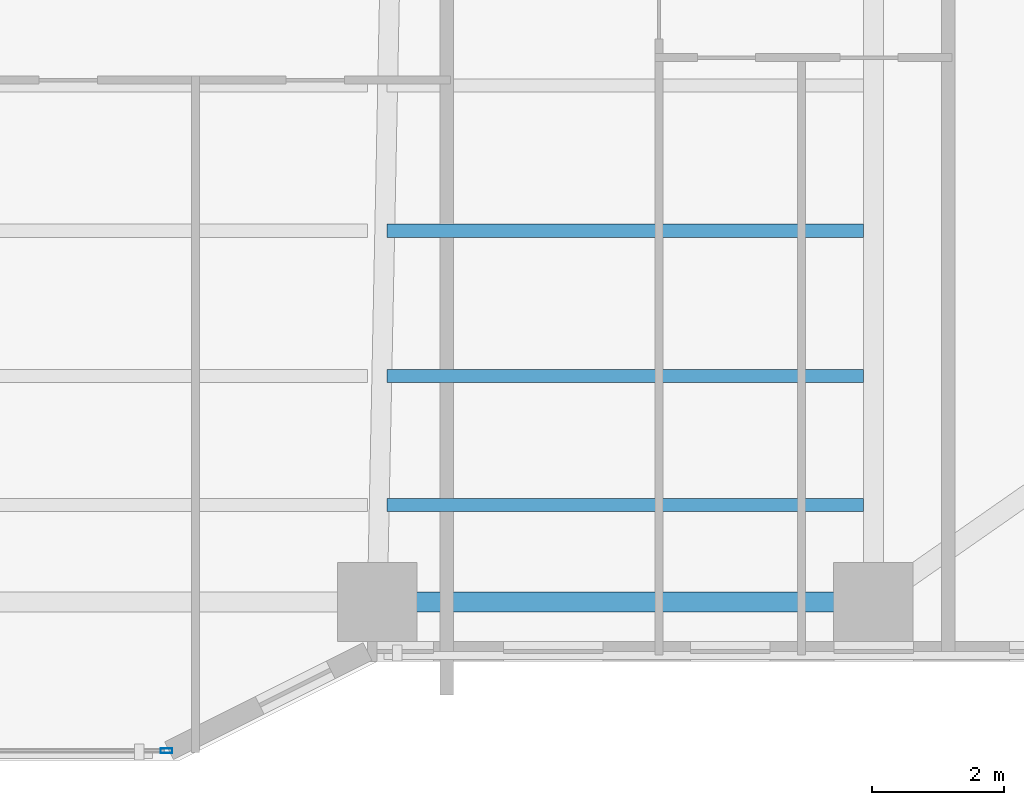
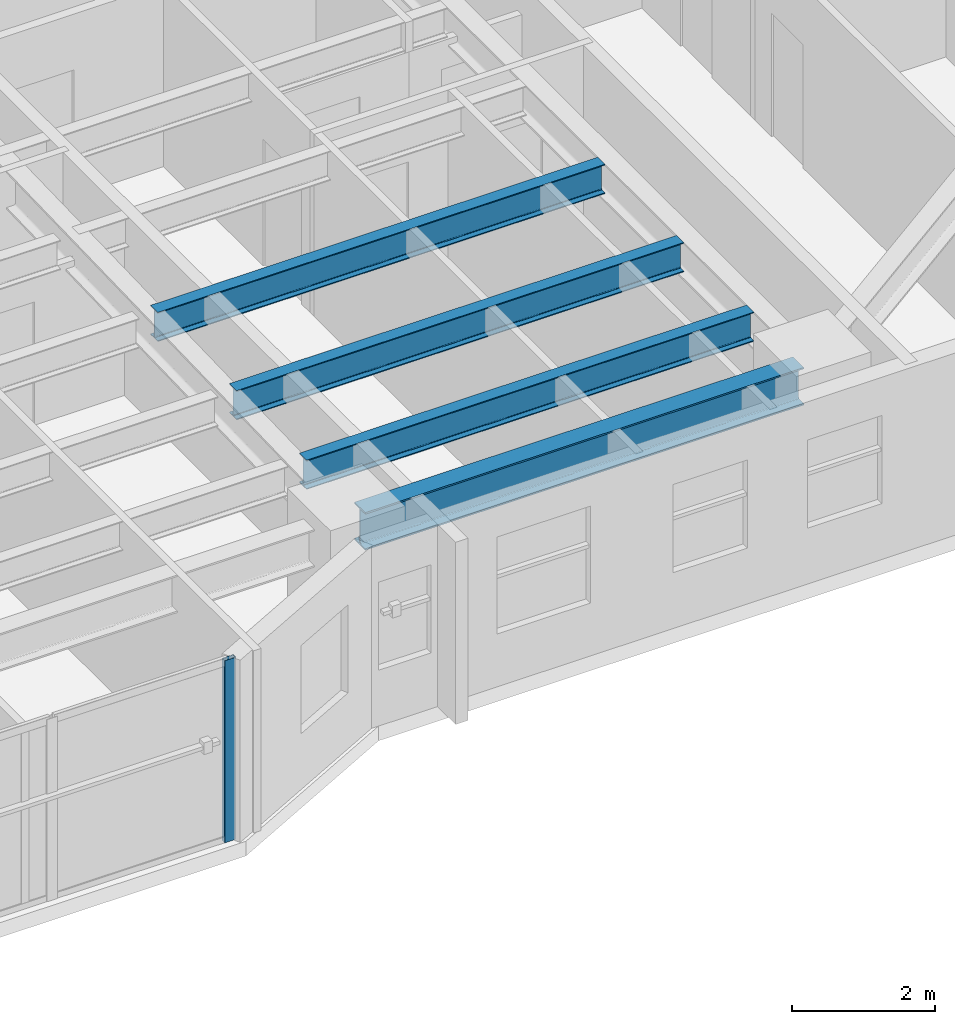
# One storey, part 4 of 21: 4 beams, 1 member, 1 element without a shape of its own.
"""IFC4 building model written with IfcOpenShell, lengths in metres."""

import ifcopenshell
import ifcopenshell.guid

model = None  # the IFC model being written
_history = None  # IfcOwnerHistory: only IFC2X3 demands one
_inside = {}  # id of a spatial element -> (the spatial element, [elements in it])
_under = {}  # id of a project, library or spatial element -> (it, [spatial elements below it])
_declared = {}  # id of a project -> (the project, [libraries it declares])
_typed = {}  # id of a type object -> (the type object, [elements of that type])
_made_of = {}  # id of a material, layer set ... -> (it, [elements and type objects made of it])


def new_model(schema):
    """Start an empty IFC model of exactly this schema.

    Asked for "IFC4X3", IfcOpenShell would pick the latest addendum, in which some entities
    have other attributes; the version numbers below select the first issue.
    IFC2X3 requires an IfcOwnerHistory on every rooted entity: one is made here for all.
    """
    global model, _history
    if schema == "IFC4X3":
        model = ifcopenshell.file(schema_version=(4, 3, 0, 0))
    else:
        model = ifcopenshell.file(schema=schema)
    _inside.clear()
    _under.clear()
    _declared.clear()
    _typed.clear()
    _made_of.clear()
    _history = None
    if model.schema == "IFC2X3":
        org = make("IfcOrganization", Name="unknown")
        user = make(
            "IfcPersonAndOrganization",
            ThePerson=make("IfcPerson", FamilyName="unknown"),
            TheOrganization=org,
        )
        app = make(
            "IfcApplication",
            ApplicationDeveloper=org,
            Version="unknown",
            ApplicationFullName="unknown",
            ApplicationIdentifier="unknown",
        )
        _history = make(
            "IfcOwnerHistory",
            OwningUser=user,
            OwningApplication=app,
            ChangeAction="ADDED",
            CreationDate=0,
        )
    return model


def make(cls, **values):
    """One entity of the class cls with the attributes given. An attribute that is None is left unset."""
    return model.create_entity(
        cls, **{name: value for name, value in values.items() if value is not None}
    )


def rooted(cls, **values):
    """An entity with a GlobalId (a new one), such as an element, a storey or a relation."""
    return make(cls, GlobalId=ifcopenshell.guid.new(), OwnerHistory=_history, **values)


def si_unit(unit_type, name, prefix=None):
    """IfcSIUnit, for example si_unit("LENGTHUNIT", "METRE", prefix="MILLI")."""
    return make("IfcSIUnit", UnitType=unit_type, Prefix=prefix, Name=name)


def assignment(units):
    """IfcUnitAssignment: the units of a project."""
    return None if units is None else make("IfcUnitAssignment", Units=units)


def point(xyz):
    """IfcCartesianPoint."""
    return None if xyz is None else make("IfcCartesianPoint", Coordinates=xyz)


def direction(xyz):
    """IfcDirection."""
    return None if xyz is None else make("IfcDirection", DirectionRatios=xyz)


def frame(location, z_axis=None, x_axis=None):
    """IfcAxis2Placement3D, a coordinate frame: its origin and axes. An axis left out is left unset."""
    return make(
        "IfcAxis2Placement3D",
        Location=point(location),
        Axis=direction(z_axis),
        RefDirection=direction(x_axis),
    )


def frame_2d(location, x_axis=None):
    """IfcAxis2Placement2D, a coordinate frame in the plane: its origin and x axis."""
    return make(
        "IfcAxis2Placement2D", Location=point(location), RefDirection=direction(x_axis)
    )


def origin():
    """The frame at (0, 0, 0) with its axes left unset."""
    return frame((0.0, 0.0, 0.0))


def origin_2d():
    """The frame at (0, 0) in the plane with its x axis left unset."""
    return frame_2d((0.0, 0.0))


def place(relative_to, where):
    """IfcLocalPlacement: puts the frame where relative to a parent placement (None: the world)."""
    return make(
        "IfcLocalPlacement", PlacementRelTo=relative_to, RelativePlacement=where
    )


def context(
    kind, dimensions, precision=None, world=None, true_north=None, identifier=None
):
    """IfcGeometricRepresentationContext, for example the 3D "Model" context."""
    return make(
        "IfcGeometricRepresentationContext",
        ContextIdentifier=identifier,
        ContextType=kind,
        CoordinateSpaceDimension=dimensions,
        Precision=precision,
        WorldCoordinateSystem=world,
        TrueNorth=true_north,
    )


def subcontext(parent, identifier, kind, view, scale=None):
    """IfcGeometricRepresentationSubContext, for example "Body" below "Model"."""
    return make(
        "IfcGeometricRepresentationSubContext",
        ContextIdentifier=identifier,
        ContextType=kind,
        ParentContext=parent,
        TargetScale=scale,
        TargetView=view,
    )


def project(units=None, contexts=None):
    """IfcProject with its units and contexts."""
    return rooted(
        "IfcProject",
        Name="project",
        RepresentationContexts=contexts,
        UnitsInContext=assignment(units),
    )


def spatial(cls, under=None, at=None, **own):
    """A site, building, storey or space (cls), placed at a placement, below another one or the project."""
    s = rooted(cls, ObjectPlacement=at, **own)
    if under is not None:
        _under.setdefault(under.id(), (under, []))[1].append(s)
    return s


def profile(cls, at=None, kind="AREA", **sizes):
    """A parametric profile (cls). Its sizes go by their IFC names, for example OverallWidth=200.0."""
    return make(cls, ProfileType=kind, Position=at, **sizes)


def hollow_rectangle(**sizes):
    """IfcRectangleHollowProfileDef."""
    return profile("IfcRectangleHollowProfileDef", **sizes)


def i_section(**sizes):
    """IfcIShapeProfileDef."""
    return profile("IfcIShapeProfileDef", **sizes)


def extrude(swept, where, along, depth):
    """IfcExtrudedAreaSolid: the profile swept, set in the frame where, extruded along a direction by depth."""
    return make(
        "IfcExtrudedAreaSolid",
        SweptArea=swept,
        Position=where,
        ExtrudedDirection=direction(along),
        Depth=depth,
    )


def shape(context_of_items, identifier, shape_type, items):
    """IfcShapeRepresentation: the items that make up one representation, for example the "Body"."""
    return make(
        "IfcShapeRepresentation",
        ContextOfItems=context_of_items,
        RepresentationIdentifier=identifier,
        RepresentationType=shape_type,
        Items=items,
    )


def material(Name=None, Category=None):
    """IfcMaterial."""
    return make("IfcMaterial", Name=Name, Category=Category)


def layer(
    of_material, thickness, ventilated=None, Name=None, Category=None, Priority=None
):
    """IfcMaterialLayer: one layer of a wall or slab, of a material (None: an air gap)."""
    return make(
        "IfcMaterialLayer",
        Material=of_material,
        LayerThickness=thickness,
        IsVentilated=ventilated,
        Name=Name,
        Category=Category,
        Priority=Priority,
    )


def layer_set(layers, Name=None):
    """IfcMaterialLayerSet."""
    return make("IfcMaterialLayerSet", MaterialLayers=layers, LayerSetName=Name)


def material_profile(
    of_material, cross_section, Name=None, Category=None, Priority=None
):
    """IfcMaterialProfile: a cross section and its material."""
    return make(
        "IfcMaterialProfile",
        Name=Name,
        Material=of_material,
        Profile=cross_section,
        Priority=Priority,
        Category=Category,
    )


def profile_set(profiles, Name=None, composite=None):
    """IfcMaterialProfileSet."""
    return make(
        "IfcMaterialProfileSet",
        Name=Name,
        MaterialProfiles=profiles,
        CompositeProfile=composite,
    )


def made_of(thing, what):
    """Note that an element or type object is made of a material, layer set ...; save() writes the relation."""
    if what is not None:
        _made_of.setdefault(what.id(), (what, []))[1].append(thing)
    return thing


def type_object(cls, material=None, **own):
    """A type object (cls), such as IfcWallType, which elements share."""
    return made_of(rooted(cls, **own), material)


def element(
    cls,
    number,
    at=None,
    inside=None,
    cuts=None,
    type_object=None,
    material=None,
    context=None,
    identifier="Body",
    shape_type=None,
    held_by="IfcProductDefinitionShape",
    body=None,
    shapes=None,
    **own,
):
    """One element of the class cls, such as IfcWall. Its Tag is "e" and its number.

    at: its placement. inside: the storey or other place that contains it. cuts: it is an
    opening in that element (IfcRelVoidsElement). A single representation is given by context,
    identifier, shape_type and body (its items); several are given by shapes. held_by: the class
    of the entity that holds the representations. save() writes the other relations.
    """
    e = rooted(cls, Tag="e%d" % number, ObjectPlacement=at, **own)
    if body is not None:
        shapes = [shape(context, identifier, shape_type, body)]
    if shapes is not None:
        e.Representation = make(held_by, Representations=shapes)
    if inside is not None:
        _inside.setdefault(inside.id(), (inside, []))[1].append(e)
    if cuts is not None:
        rooted(
            "IfcRelVoidsElement", RelatingBuildingElement=cuts, RelatedOpeningElement=e
        )
    if type_object is not None:
        _typed.setdefault(type_object.id(), (type_object, []))[1].append(e)
    return made_of(e, material)


def aggregate(whole, parts):
    """IfcRelAggregates: a whole, such as a stair, and the parts it consists of."""
    return rooted("IfcRelAggregates", RelatingObject=whole, RelatedObjects=parts)


def save(model, path):
    """Write the relations noted so far, then the file.

    IfcRelAggregates (storeys below a building ...), IfcRelContainedInSpatialStructure (elements
    in a storey), IfcRelDefinesByType, IfcRelAssociatesMaterial and IfcRelDeclares: one each for
    every whole, place, type object, material and project.
    """
    for whole, parts in _under.values():
        aggregate(whole, parts)
    for where, things in _inside.values():
        rooted(
            "IfcRelContainedInSpatialStructure",
            RelatedElements=things,
            RelatingStructure=where,
        )
    for kind, things in _typed.values():
        rooted("IfcRelDefinesByType", RelatedObjects=things, RelatingType=kind)
    for what, things in _made_of.values():
        rooted("IfcRelAssociatesMaterial", RelatedObjects=things, RelatingMaterial=what)
    for by, libraries in _declared.values():
        rooted("IfcRelDeclares", RelatingContext=by, RelatedDefinitions=libraries)
    model.write(path)


model = new_model("IFC4")

# Units and contexts
model_context = context("Model", 3, precision=1e-05, world=origin(), true_north=direction((0.0, 1.0)))
body_context = subcontext(model_context, "Body", "Model", "MODEL_VIEW")
ifc_project = project(units=[si_unit("LENGTHUNIT", "METRE"), si_unit("AREAUNIT", "SQUARE_METRE"), si_unit("VOLUMEUNIT", "CUBIC_METRE"), si_unit("PLANEANGLEUNIT", "RADIAN"), si_unit("MASSUNIT", "GRAM", prefix="KILO")], contexts=[model_context])

# Site, building, storey
site_placement = place(None, origin())
site = spatial("IfcSite", under=ifc_project, at=site_placement, CompositionType="ELEMENT")
building_placement = place(site_placement, origin())
building = spatial("IfcBuilding", under=site, at=building_placement, Name="Tarnavaz Court Tower", CompositionType="ELEMENT")
storey_placement = place(building_placement, frame((0.0, 0.0, 37.39990234375)))
storey = spatial("IfcBuildingStorey", under=building, at=storey_placement, Name="L09", CompositionType="ELEMENT", Elevation=37.39990234375)

# Beams
ifc_material_1 = material(Name="Steel S355", Category="steel")
ifc_material_profile_1 = material_profile(ifc_material_1, i_section(OverallWidth=0.199951171875, OverallDepth=0.5, WebThickness=0.01025390625, FlangeThickness=0.01611328125, FilletRadius=0.02099609375, at=origin_2d()), Name="IPE 500")
ifc_profile_set_1 = profile_set([ifc_material_profile_1], Name="Steel S355")
beam_type_1 = type_object("IfcBeamType", Name="BM-J-IPE500", PredefinedType="JOIST", material=ifc_profile_set_1)
for number, where, z_axis, x_axis, name in (
    (1, (7.64990234375, -17.18798828125, 2.85009765625), (1.0, 0.0, 0.0), (0.0, 1.0, 0.0), "L09 Beam JS3-3"),
    (2, (7.64990234375, -19.384033203125, 2.85009765625), (1.0, 0.0, 0.0), (0.0, 1.0, 0.0), "L09 Beam JS4-3"),
    (3, (7.64990234375, -21.3359375, 2.85009765625), (1.0, 0.0, 0.0), (0.0, 1.0, 0.0), "L09 Beam JS5-3"),
):
    element("IfcBeam", number, at=place(storey_placement, frame(where, z_axis=z_axis, x_axis=x_axis)), inside=storey, type_object=beam_type_1, Name=name, PredefinedType="JOIST", context=body_context, shape_type="SweptSolid", body=[
        extrude(i_section(OverallWidth=0.199951171875, OverallDepth=0.5, WebThickness=0.01025390625, FlangeThickness=0.01611328125, FilletRadius=0.02099609375, at=origin_2d()), origin(), (0.0, 0.0, 1.0), 7.2001953125),
    ])
ifc_material_profile_2 = material_profile(ifc_material_1, i_section(OverallWidth=0.300048828125, OverallDepth=0.639892578125, WebThickness=0.013427734375, FlangeThickness=0.02587890625, FilletRadius=0.027099609375, at=origin_2d()), Name="HEA 650")
ifc_profile_set_2 = profile_set([ifc_material_profile_2], Name="Steel S355")
beam_type_2 = type_object("IfcBeamType", Name="BM-SP-HEA650", PredefinedType="SPANDREL", material=ifc_profile_set_2)
beam_placement = place(storey_placement, frame((7.719970703125, -22.800048828125, 2.780029296875), z_axis=(1.0, 0.0, 0.0), x_axis=(0.0, 1.0, 0.0)))
element("IfcBeam", 4, at=beam_placement, inside=storey, type_object=beam_type_2, Name="L09 Beam PR-PS-3-PS-4", PredefinedType="SPANDREL", context=body_context, shape_type="SweptSolid", body=[
    extrude(i_section(OverallWidth=0.300048828125, OverallDepth=0.639892578125, WebThickness=0.013427734375, FlangeThickness=0.02587890625, FilletRadius=0.027099609375, at=origin_2d()), origin(), (0.0, 0.0, 1.0), 7.06005859375),
])

# Curtain wall, member
ifc_material_2 = material(Name="Anodised Aluminium 6063-T6 and Solar Low-E Glazing", Category="aluminium")
ifc_layer = layer(ifc_material_2, 0.179931640625)
ifc_layer_set = layer_set([ifc_layer], Name="Anodised Aluminium 6063-T6 and Solar Low-E Glazing")
curtain_wall_type = type_object("IfcCurtainWallType", Name="CW-SYS-02", PredefinedType="NOTDEFINED", material=ifc_layer_set)
curtain_wall_placement = place(storey_placement, origin())
curtain_wall = element("IfcCurtainWall", 5, at=curtain_wall_placement, inside=storey, type_object=curtain_wall_type, Name="L09 Iwan Prow Curtain Wall 17", PredefinedType="NOTDEFINED")
ifc_material_3 = material(Name="Anodised Aluminium 6063-T6", Category="aluminium")
ifc_material_profile_3 = material_profile(ifc_material_3, hollow_rectangle(XDim=0.074951171875, YDim=0.179931640625, WallThickness=0.0048828125, InnerFilletRadius=0.0048828125, OuterFilletRadius=0.010009765625, at=origin_2d()), Name="ALU RHS 180X75X5")
ifc_profile_set_3 = profile_set([ifc_material_profile_3], Name="Anodised Aluminium 6063-T6")
member_type = type_object("IfcMemberType", Name="CW-MUL-180", PredefinedType="MULLION", material=ifc_profile_set_3)
member_placement = place(storey_placement, frame((4.3125, -25.050048828125, 0.0), z_axis=(0.0, 0.0, 1.0), x_axis=(0.0, -1.0, 0.0)))
member = element("IfcMember", 6, at=member_placement, type_object=member_type, Name="CW mullion 1", PredefinedType="MULLION", context=body_context, shape_type="SweptSolid", body=[
    extrude(hollow_rectangle(XDim=0.074951171875, YDim=0.179931640625, WallThickness=0.0048828125, InnerFilletRadius=0.0048828125, OuterFilletRadius=0.010009765625, at=origin_2d()), origin(), (0.0, 0.0, 1.0), 3.10009765625),
])
aggregate(curtain_wall, [member])

save(model, "model.ifc")
